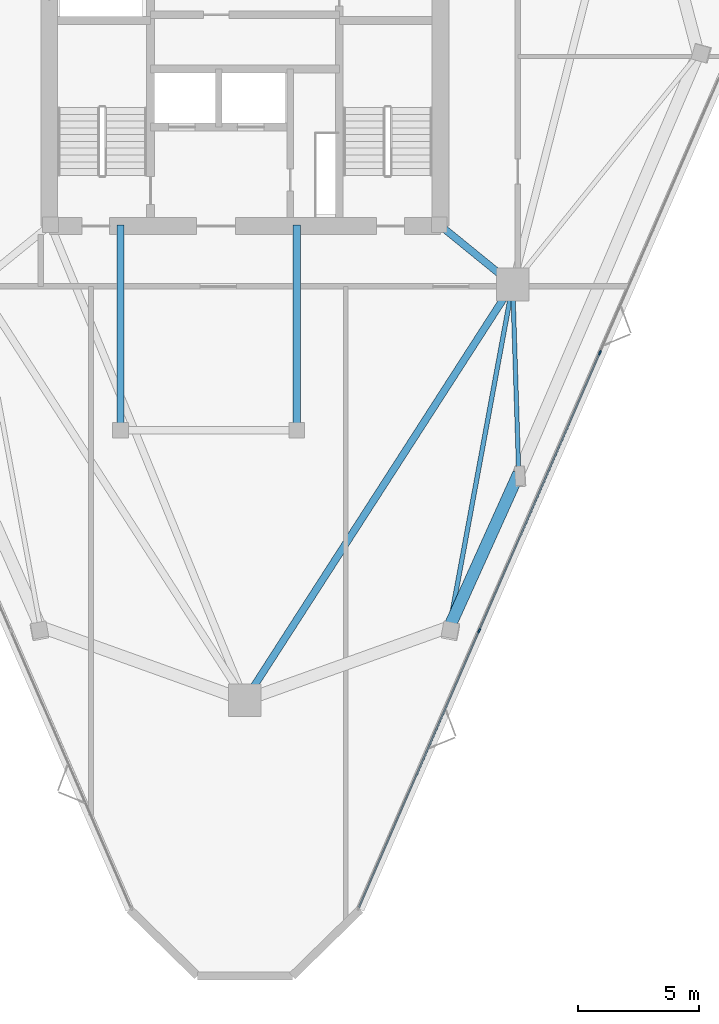
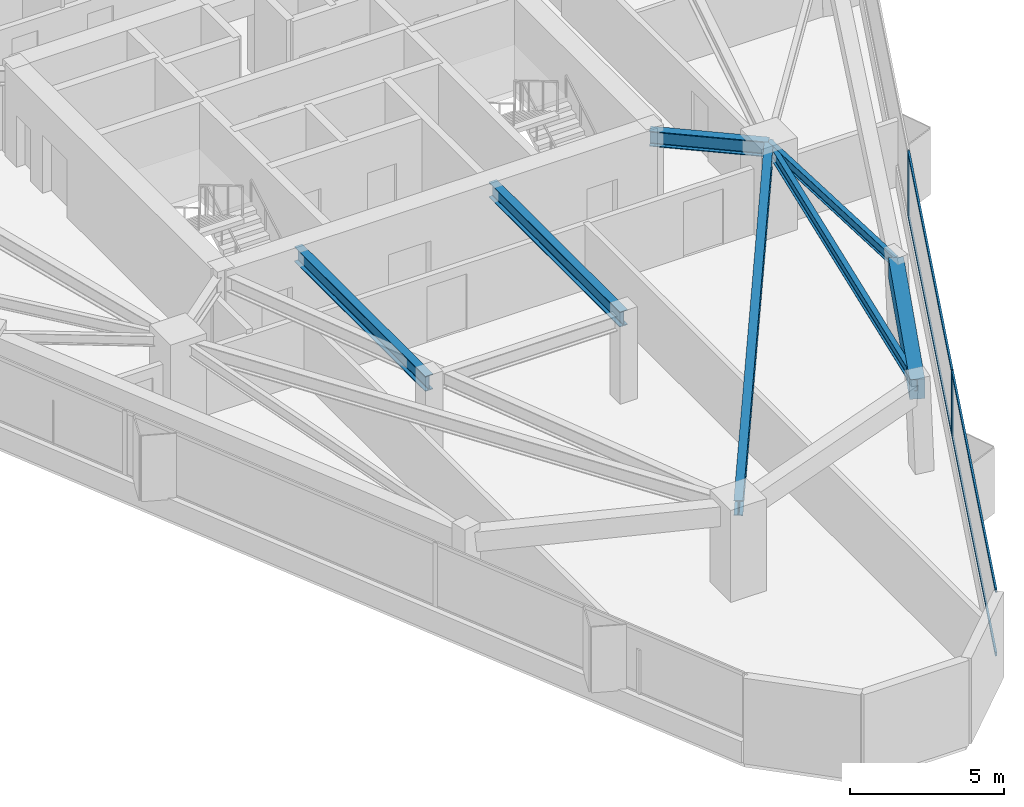
# One storey, part 4 of 12: 7 beams, 6 members, 1 element without a shape of its own.
"""IFC4 building model written with IfcOpenShell, lengths in metres."""

from ifc_helpers import new_model, si_unit, direction, frame, origin, origin_2d, place, context, subcontext, project, spatial, rectangle, i_section, extrude, material, layer, layer_set, material_profile, profile_set, type_object, element, aggregate, save


model = new_model("IFC4")

# Units and contexts
model_context = context("Model", 3, precision=1e-05, world=origin(), true_north=direction((0.0, 1.0)))
body_context = subcontext(model_context, "Body", "Model", "MODEL_VIEW")
ifc_project = project(units=[si_unit("LENGTHUNIT", "METRE"), si_unit("AREAUNIT", "SQUARE_METRE"), si_unit("VOLUMEUNIT", "CUBIC_METRE"), si_unit("PLANEANGLEUNIT", "RADIAN"), si_unit("MASSUNIT", "GRAM", prefix="KILO")], contexts=[model_context])

# Site, building, storey
site_placement = place(None, origin())
site = spatial("IfcSite", under=ifc_project, at=site_placement, CompositionType="ELEMENT")
building_placement = place(site_placement, origin())
building = spatial("IfcBuilding", under=site, at=building_placement, Name="Talyreon Biosciences Tower", CompositionType="ELEMENT")
storey_placement = place(building_placement, frame((0.0, 0.0, 215.89990234375)))
storey = spatial("IfcBuildingStorey", under=building, at=storey_placement, Name="L57", CompositionType="ELEMENT", Elevation=215.89990234375)

# Curtain wall, members
ifc_material_1 = material(Name="Thermally broken aluminium and low-E glazing", Category="aluminium")
ifc_layer = layer(ifc_material_1, 0.179931640625)
ifc_layer_set = layer_set([ifc_layer], Name="Thermally broken aluminium and low-E glazing")
curtain_wall_type = type_object("IfcCurtainWallType", Name="CurtainWall_Zone4Optical", PredefinedType="NOTDEFINED", material=ifc_layer_set)
curtain_wall_placement = place(storey_placement, origin())
curtain_wall = element("IfcCurtainWall", 1, at=curtain_wall_placement, inside=storey, type_object=curtain_wall_type, Name="L57 Unitised Curtain Wall FCW-L57-08", PredefinedType="NOTDEFINED")
ifc_material_2 = material(Name="Anodised thermally broken aluminium", Category="aluminium")
ifc_material_profile_1 = material_profile(ifc_material_2, rectangle(XDim=0.06494140625, YDim=0.179931640625, at=origin_2d()), Name="ALUM MULLION 65x180")
ifc_profile_set_1 = profile_set([ifc_material_profile_1], Name="Anodised thermally broken aluminium")
member_type_1 = type_object("IfcMemberType", Name="CWMullion_65x180", PredefinedType="MULLION", material=ifc_profile_set_1)
member_1_placement = place(storey_placement, frame((80.6962890625, 56.0546875, 0.81005859375), z_axis=(0.0, 0.0, 1.0), x_axis=(0.917221993355, -0.398376473835, 0.0)))
member_1 = element("IfcMember", 2, at=member_1_placement, type_object=member_type_1, Name="CW5 mullion 3", PredefinedType="MULLION", context=body_context, shape_type="SweptSolid", body=[
    extrude(rectangle(XDim=0.06494140625, YDim=0.179931640625, at=origin_2d()), origin(), (0.0, 0.0, 1.0), 2.590087890625),
])
member_2_placement = place(storey_placement, frame((75.6962890625, 44.542724609375, 0.81005859375), z_axis=(0.0, 0.0, 1.0), x_axis=(0.917221993355, -0.398376473835, 0.0)))
member_2 = element("IfcMember", 3, at=member_2_placement, type_object=member_type_1, Name="CW5 mullion 4", PredefinedType="MULLION", context=body_context, shape_type="SweptSolid", body=[
    extrude(rectangle(XDim=0.06494140625, YDim=0.179931640625, at=origin_2d()), origin(), (0.0, 0.0, 1.0), 2.590087890625),
])
ifc_material_profile_2 = material_profile(ifc_material_2, rectangle(XDim=0.06494140625, YDim=0.139892578125, at=origin_2d()), Name="ALUM TRANSOM 65x140")
ifc_profile_set_2 = profile_set([ifc_material_profile_2], Name="Anodised thermally broken aluminium")
member_type_2 = type_object("IfcMemberType", Name="CWTransom_65x140", PredefinedType="USERDEFINED", material=ifc_profile_set_2)
member_3_placement = place(storey_placement, frame((80.683349609375, 56.02490234375, 0.842529296875), z_axis=(-0.39837717116, -0.917221690486, 0.0), x_axis=(0.917221690486, -0.39837717116, 0.0)))
member_3 = element("IfcMember", 4, at=member_3_placement, type_object=member_type_2, Name="CW5 transom 3.1", ObjectType="TRANSOM", PredefinedType="USERDEFINED", context=body_context, shape_type="SweptSolid", body=[
    extrude(rectangle(XDim=0.06494140625, YDim=0.139892578125, at=origin_2d()), origin(), (0.0, 0.0, 1.0), 12.48583984375),
])
member_4_placement = place(storey_placement, frame((80.683349609375, 56.02490234375, 3.36767578125), z_axis=(-0.39837717116, -0.917221690486, 0.0), x_axis=(0.917221690486, -0.39837717116, 0.0)))
member_4 = element("IfcMember", 5, at=member_4_placement, type_object=member_type_2, Name="CW5 transom 3.2", ObjectType="TRANSOM", PredefinedType="USERDEFINED", context=body_context, shape_type="SweptSolid", body=[
    extrude(rectangle(XDim=0.06494140625, YDim=0.139892578125, at=origin_2d()), origin(), (0.0, 0.0, 1.0), 12.48583984375),
])
member_5_placement = place(storey_placement, frame((75.683349609375, 44.512939453125, 0.842529296875), z_axis=(-0.398376978135, -0.917221774323, 0.0), x_axis=(0.917221774323, -0.398376978135, 0.0)))
member_5 = element("IfcMember", 6, at=member_5_placement, type_object=member_type_2, Name="CW5 transom 4.1", ObjectType="TRANSOM", PredefinedType="USERDEFINED", context=body_context, shape_type="SweptSolid", body=[
    extrude(rectangle(XDim=0.06494140625, YDim=0.139892578125, at=origin_2d()), origin(), (0.0, 0.0, 1.0), 12.453369140625),
])
member_6_placement = place(storey_placement, frame((75.683349609375, 44.512939453125, 3.36767578125), z_axis=(-0.398376978135, -0.917221774323, 0.0), x_axis=(0.917221774323, -0.398376978135, 0.0)))
member_6 = element("IfcMember", 7, at=member_6_placement, type_object=member_type_2, Name="CW5 transom 4.2", ObjectType="TRANSOM", PredefinedType="USERDEFINED", context=body_context, shape_type="SweptSolid", body=[
    extrude(rectangle(XDim=0.06494140625, YDim=0.139892578125, at=origin_2d()), origin(), (0.0, 0.0, 1.0), 12.453369140625),
])
aggregate(curtain_wall, [member_1, member_2, member_3, member_4, member_5, member_6])

# Beams
ifc_material_3 = material(Name="Precast concrete C45/55", Category="concrete")
ifc_material_profile_3 = material_profile(ifc_material_3, rectangle(XDim=0.5, YDim=0.780029296875, at=origin_2d()), Name="RCB 500x780")
ifc_profile_set_3 = profile_set([ifc_material_profile_3], Name="Precast concrete C45/55")
beam_type_1 = type_object("IfcBeamType", Name="ExpressedSpandrel_500x780", PredefinedType="SPANDREL", material=ifc_profile_set_3)
beam_1_placement = place(storey_placement, frame((74.4697265625, 44.707275390625, 3.010009765625), z_axis=(0.411400745738, 0.911454566287, 0.0), x_axis=(-0.911454566287, 0.411400745738, 0.0)))
element("IfcBeam", 8, at=beam_1_placement, inside=storey, type_object=beam_type_1, Name="L57 Expressed Horizontal Concrete Spandrel 02", PredefinedType="SPANDREL", context=body_context, shape_type="SweptSolid", body=[
    extrude(rectangle(XDim=0.5, YDim=0.780029296875, at=origin_2d()), origin(), (0.0, 0.0, 1.0), 6.964599609375),
])
ifc_material_4 = material(Name="Steel SM355", Category="steel")
ifc_material_profile_4 = material_profile(ifc_material_4, i_section(OverallWidth=0.300048828125, OverallDepth=0.60009765625, WebThickness=0.015380859375, FlangeThickness=0.030029296875, FilletRadius=0.027099609375, at=origin_2d()), Name="HE600B")
ifc_profile_set_4 = profile_set([ifc_material_profile_4], Name="Steel SM355")
beam_type_2 = type_object("IfcBeamType", Name="SteelBeam_HE600B", PredefinedType="BEAM", material=ifc_profile_set_4)
beam_2_placement = place(storey_placement, frame((66.0, 41.6669921875, 3.10009765625), z_axis=(0.541463723609, 0.840724114092, 0.0), x_axis=(-0.840724114092, 0.541463723609, 0.0)))
element("IfcBeam", 9, at=beam_2_placement, inside=storey, type_object=beam_type_2, Name="L57 Mega-Ring Girder 1", PredefinedType="BEAM", context=body_context, shape_type="SweptSolid", body=[
    extrude(i_section(OverallWidth=0.300048828125, OverallDepth=0.60009765625, WebThickness=0.015380859375, FlangeThickness=0.030029296875, FilletRadius=0.027099609375, at=origin_2d()), origin(), (0.0, 0.0, 1.0), 20.474365234375),
])
beam_3_placement = place(storey_placement, frame((74.050048828125, 61.35009765625, 3.10009765625), z_axis=(0.775755154013, -0.631034025249, 0.0), x_axis=(0.631034025249, 0.775755154013, 0.0)))
element("IfcBeam", 10, at=beam_3_placement, inside=storey, type_object=beam_type_2, Name="L57 Radial Primary Girder 2", PredefinedType="BEAM", context=body_context, shape_type="SweptSolid", body=[
    extrude(i_section(OverallWidth=0.300048828125, OverallDepth=0.60009765625, WebThickness=0.015380859375, FlangeThickness=0.030029296875, FilletRadius=0.027099609375, at=origin_2d()), origin(), (0.0, 0.0, 1.0), 3.913818359375),
])
for number, where, z_axis, x_axis, name in (
    (11, (60.85009765625, 52.840087890625, 3.10009765625), (0.0, 1.0, 0.0), (-1.0, 0.0, 0.0), "L57 Crown Shaft Tie Girder W"),
    (12, (68.14990234375, 52.840087890625, 3.10009765625), (0.0, 1.0, 0.0), (-1.0, 0.0, 0.0), "L57 Crown Shaft Tie Girder E"),
):
    element("IfcBeam", number, at=place(storey_placement, frame(where, z_axis=z_axis, x_axis=x_axis)), inside=storey, type_object=beam_type_2, Name=name, PredefinedType="BEAM", context=body_context, shape_type="SweptSolid", body=[
        extrude(i_section(OverallWidth=0.300048828125, OverallDepth=0.60009765625, WebThickness=0.015380859375, FlangeThickness=0.030029296875, FilletRadius=0.027099609375, at=origin_2d()), origin(), (0.0, 0.0, 1.0), 8.510009765625),
    ])
ifc_material_profile_5 = material_profile(ifc_material_4, i_section(OverallWidth=0.179931640625, OverallDepth=0.39990234375, WebThickness=0.008544921875, FlangeThickness=0.013427734375, FilletRadius=0.02099609375, at=origin_2d()), Name="IPE400")
ifc_profile_set_5 = profile_set([ifc_material_profile_5], Name="Steel SM355")
beam_type_3 = type_object("IfcBeamType", Name="SteelJoist_IPE400", PredefinedType="JOIST", material=ifc_profile_set_5)
beam_4_placement = place(storey_placement, frame((77.086181640625, 58.88037109375, 3.2001953125), z_axis=(0.031776033309, -0.999495014348, 0.0), x_axis=(0.999495014348, 0.031776033309, 0.0)))
element("IfcBeam", 13, at=beam_4_placement, inside=storey, type_object=beam_type_3, Name="L57 Radial Composite Floor Joist PL-SE", PredefinedType="JOIST", context=body_context, shape_type="SweptSolid", body=[
    extrude(i_section(OverallWidth=0.179931640625, OverallDepth=0.39990234375, WebThickness=0.008544921875, FlangeThickness=0.013427734375, FilletRadius=0.02099609375, at=origin_2d()), origin(), (0.0, 0.0, 1.0), 7.8291015625),
])
ifc_material_profile_6 = material_profile(ifc_material_4, i_section(OverallWidth=0.18994140625, OverallDepth=0.449951171875, WebThickness=0.009521484375, FlangeThickness=0.0146484375, FilletRadius=0.02099609375, at=origin_2d()), Name="IPE450")
ifc_profile_set_6 = profile_set([ifc_material_profile_6], Name="Steel SM355")
beam_type_4 = type_object("IfcBeamType", Name="SteelJoist_IPE450", PredefinedType="JOIST", material=ifc_profile_set_6)
beam_5_placement = place(storey_placement, frame((77.086181640625, 58.88037109375, 3.175048828125), z_axis=(-0.181539666927, -0.983383622668, 0.0), x_axis=(0.983383622668, -0.181539666927, 0.0)))
element("IfcBeam", 14, at=beam_5_placement, inside=storey, type_object=beam_type_4, Name="L57 Radial Composite Floor Joist PC-SE1", PredefinedType="JOIST", context=body_context, shape_type="SweptSolid", body=[
    extrude(i_section(OverallWidth=0.18994140625, OverallDepth=0.449951171875, WebThickness=0.009521484375, FlangeThickness=0.0146484375, FilletRadius=0.02099609375, at=origin_2d()), origin(), (0.0, 0.0, 1.0), 14.41259765625),
])

save(model, "model.ifc")
